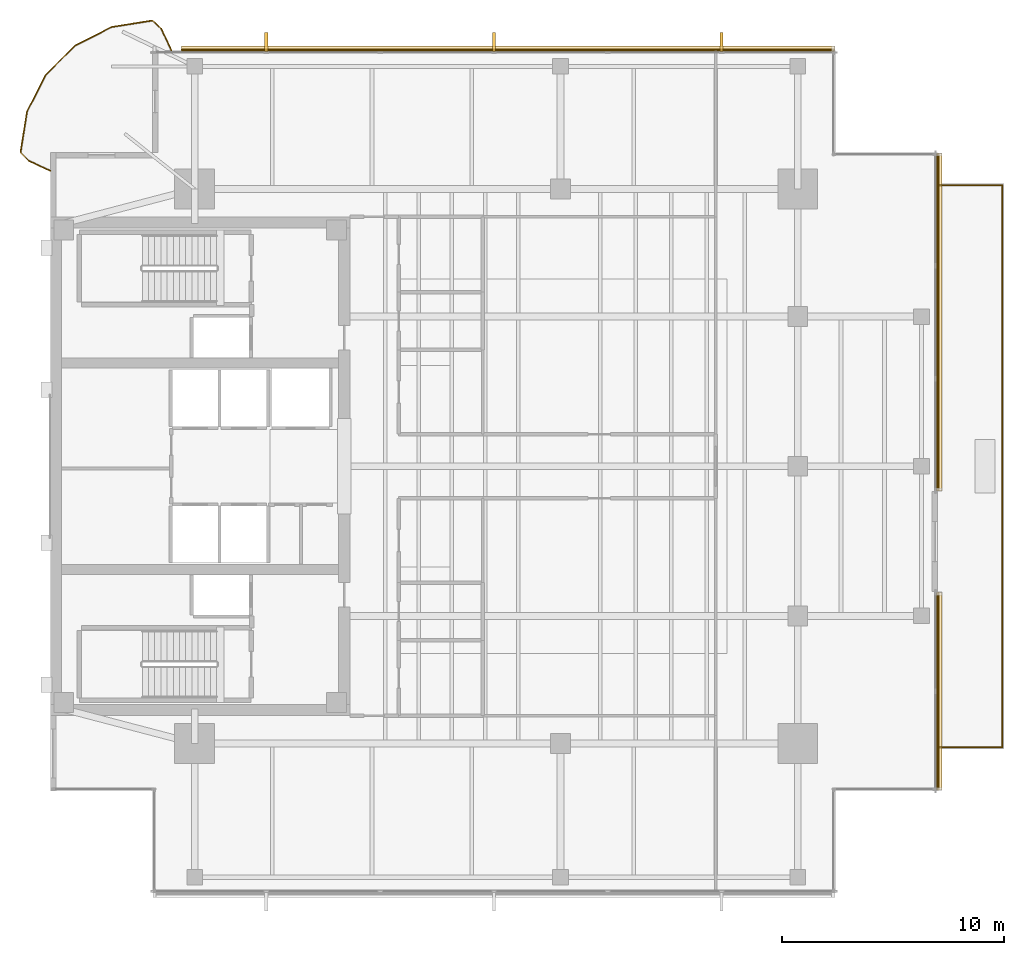
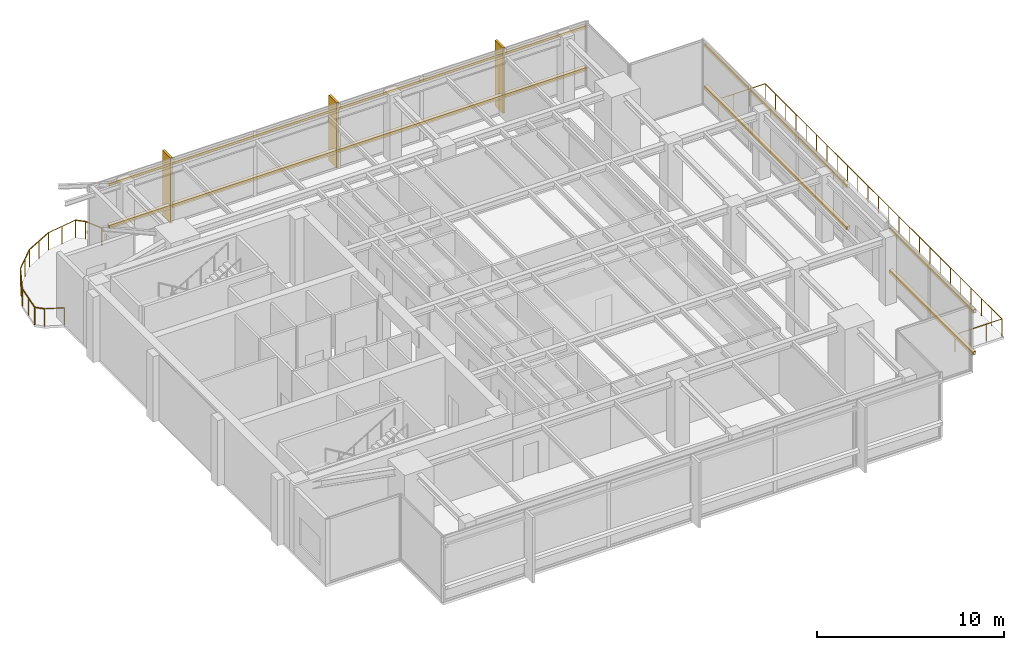
# One storey, part 14 of 14: 12 railings, 9 coverings, 6 shading devices.
"""IFC4 building model written with IfcOpenShell, lengths in metres."""

import ifcopenshell
import ifcopenshell.guid

model = None  # the IFC model being written
_history = None  # IfcOwnerHistory: only IFC2X3 demands one
_inside = {}  # id of a spatial element -> (the spatial element, [elements in it])
_under = {}  # id of a project, library or spatial element -> (it, [spatial elements below it])
_declared = {}  # id of a project -> (the project, [libraries it declares])
_typed = {}  # id of a type object -> (the type object, [elements of that type])
_made_of = {}  # id of a material, layer set ... -> (it, [elements and type objects made of it])


def new_model(schema):
    """Start an empty IFC model of exactly this schema.

    Asked for "IFC4X3", IfcOpenShell would pick the latest addendum, in which some entities
    have other attributes; the version numbers below select the first issue.
    IFC2X3 requires an IfcOwnerHistory on every rooted entity: one is made here for all.
    """
    global model, _history
    if schema == "IFC4X3":
        model = ifcopenshell.file(schema_version=(4, 3, 0, 0))
    else:
        model = ifcopenshell.file(schema=schema)
    _inside.clear()
    _under.clear()
    _declared.clear()
    _typed.clear()
    _made_of.clear()
    _history = None
    if model.schema == "IFC2X3":
        org = make("IfcOrganization", Name="unknown")
        user = make(
            "IfcPersonAndOrganization",
            ThePerson=make("IfcPerson", FamilyName="unknown"),
            TheOrganization=org,
        )
        app = make(
            "IfcApplication",
            ApplicationDeveloper=org,
            Version="unknown",
            ApplicationFullName="unknown",
            ApplicationIdentifier="unknown",
        )
        _history = make(
            "IfcOwnerHistory",
            OwningUser=user,
            OwningApplication=app,
            ChangeAction="ADDED",
            CreationDate=0,
        )
    return model


def make(cls, **values):
    """One entity of the class cls with the attributes given. An attribute that is None is left unset."""
    return model.create_entity(
        cls, **{name: value for name, value in values.items() if value is not None}
    )


def rooted(cls, **values):
    """An entity with a GlobalId (a new one), such as an element, a storey or a relation."""
    return make(cls, GlobalId=ifcopenshell.guid.new(), OwnerHistory=_history, **values)


def si_unit(unit_type, name, prefix=None):
    """IfcSIUnit, for example si_unit("LENGTHUNIT", "METRE", prefix="MILLI")."""
    return make("IfcSIUnit", UnitType=unit_type, Prefix=prefix, Name=name)


def assignment(units):
    """IfcUnitAssignment: the units of a project."""
    return None if units is None else make("IfcUnitAssignment", Units=units)


def point(xyz):
    """IfcCartesianPoint."""
    return None if xyz is None else make("IfcCartesianPoint", Coordinates=xyz)


def direction(xyz):
    """IfcDirection."""
    return None if xyz is None else make("IfcDirection", DirectionRatios=xyz)


def frame(location, z_axis=None, x_axis=None):
    """IfcAxis2Placement3D, a coordinate frame: its origin and axes. An axis left out is left unset."""
    return make(
        "IfcAxis2Placement3D",
        Location=point(location),
        Axis=direction(z_axis),
        RefDirection=direction(x_axis),
    )


def frame_2d(location, x_axis=None):
    """IfcAxis2Placement2D, a coordinate frame in the plane: its origin and x axis."""
    return make(
        "IfcAxis2Placement2D", Location=point(location), RefDirection=direction(x_axis)
    )


def origin():
    """The frame at (0, 0, 0) with its axes left unset."""
    return frame((0.0, 0.0, 0.0))


def origin_2d():
    """The frame at (0, 0) in the plane with its x axis left unset."""
    return frame_2d((0.0, 0.0))


def place(relative_to, where):
    """IfcLocalPlacement: puts the frame where relative to a parent placement (None: the world)."""
    return make(
        "IfcLocalPlacement", PlacementRelTo=relative_to, RelativePlacement=where
    )


def context(
    kind, dimensions, precision=None, world=None, true_north=None, identifier=None
):
    """IfcGeometricRepresentationContext, for example the 3D "Model" context."""
    return make(
        "IfcGeometricRepresentationContext",
        ContextIdentifier=identifier,
        ContextType=kind,
        CoordinateSpaceDimension=dimensions,
        Precision=precision,
        WorldCoordinateSystem=world,
        TrueNorth=true_north,
    )


def subcontext(parent, identifier, kind, view, scale=None):
    """IfcGeometricRepresentationSubContext, for example "Body" below "Model"."""
    return make(
        "IfcGeometricRepresentationSubContext",
        ContextIdentifier=identifier,
        ContextType=kind,
        ParentContext=parent,
        TargetScale=scale,
        TargetView=view,
    )


def project(units=None, contexts=None):
    """IfcProject with its units and contexts."""
    return rooted(
        "IfcProject",
        Name="project",
        RepresentationContexts=contexts,
        UnitsInContext=assignment(units),
    )


def spatial(cls, under=None, at=None, **own):
    """A site, building, storey or space (cls), placed at a placement, below another one or the project."""
    s = rooted(cls, ObjectPlacement=at, **own)
    if under is not None:
        _under.setdefault(under.id(), (under, []))[1].append(s)
    return s


def polyline(points):
    """IfcPolyline through the points."""
    return make("IfcPolyline", Points=[point(p) for p in points])


def profile(cls, at=None, kind="AREA", **sizes):
    """A parametric profile (cls). Its sizes go by their IFC names, for example OverallWidth=200.0."""
    return make(cls, ProfileType=kind, Position=at, **sizes)


def rectangle(**sizes):
    """IfcRectangleProfileDef."""
    return profile("IfcRectangleProfileDef", **sizes)


def circle(**sizes):
    """IfcCircleProfileDef."""
    return profile("IfcCircleProfileDef", **sizes)


def outline(outer, holes=None, kind="AREA"):
    """IfcArbitraryClosedProfileDef: a profile drawn as a closed curve; with holes, ...WithVoids."""
    if holes is None:
        return make("IfcArbitraryClosedProfileDef", ProfileType=kind, OuterCurve=outer)
    return make(
        "IfcArbitraryProfileDefWithVoids",
        ProfileType=kind,
        OuterCurve=outer,
        InnerCurves=holes,
    )


def extrude(swept, where, along, depth):
    """IfcExtrudedAreaSolid: the profile swept, set in the frame where, extruded along a direction by depth."""
    return make(
        "IfcExtrudedAreaSolid",
        SweptArea=swept,
        Position=where,
        ExtrudedDirection=direction(along),
        Depth=depth,
    )


def shape(context_of_items, identifier, shape_type, items):
    """IfcShapeRepresentation: the items that make up one representation, for example the "Body"."""
    return make(
        "IfcShapeRepresentation",
        ContextOfItems=context_of_items,
        RepresentationIdentifier=identifier,
        RepresentationType=shape_type,
        Items=items,
    )


def material(Name=None, Category=None):
    """IfcMaterial."""
    return make("IfcMaterial", Name=Name, Category=Category)


def layer(
    of_material, thickness, ventilated=None, Name=None, Category=None, Priority=None
):
    """IfcMaterialLayer: one layer of a wall or slab, of a material (None: an air gap)."""
    return make(
        "IfcMaterialLayer",
        Material=of_material,
        LayerThickness=thickness,
        IsVentilated=ventilated,
        Name=Name,
        Category=Category,
        Priority=Priority,
    )


def layer_set(layers, Name=None):
    """IfcMaterialLayerSet."""
    return make("IfcMaterialLayerSet", MaterialLayers=layers, LayerSetName=Name)


def material_profile(
    of_material, cross_section, Name=None, Category=None, Priority=None
):
    """IfcMaterialProfile: a cross section and its material."""
    return make(
        "IfcMaterialProfile",
        Name=Name,
        Material=of_material,
        Profile=cross_section,
        Priority=Priority,
        Category=Category,
    )


def profile_set(profiles, Name=None, composite=None):
    """IfcMaterialProfileSet."""
    return make(
        "IfcMaterialProfileSet",
        Name=Name,
        MaterialProfiles=profiles,
        CompositeProfile=composite,
    )


def made_of(thing, what):
    """Note that an element or type object is made of a material, layer set ...; save() writes the relation."""
    if what is not None:
        _made_of.setdefault(what.id(), (what, []))[1].append(thing)
    return thing


def type_object(cls, material=None, **own):
    """A type object (cls), such as IfcWallType, which elements share."""
    return made_of(rooted(cls, **own), material)


def element(
    cls,
    number,
    at=None,
    inside=None,
    cuts=None,
    type_object=None,
    material=None,
    context=None,
    identifier="Body",
    shape_type=None,
    held_by="IfcProductDefinitionShape",
    body=None,
    shapes=None,
    **own,
):
    """One element of the class cls, such as IfcWall. Its Tag is "e" and its number.

    at: its placement. inside: the storey or other place that contains it. cuts: it is an
    opening in that element (IfcRelVoidsElement). A single representation is given by context,
    identifier, shape_type and body (its items); several are given by shapes. held_by: the class
    of the entity that holds the representations. save() writes the other relations.
    """
    e = rooted(cls, Tag="e%d" % number, ObjectPlacement=at, **own)
    if body is not None:
        shapes = [shape(context, identifier, shape_type, body)]
    if shapes is not None:
        e.Representation = make(held_by, Representations=shapes)
    if inside is not None:
        _inside.setdefault(inside.id(), (inside, []))[1].append(e)
    if cuts is not None:
        rooted(
            "IfcRelVoidsElement", RelatingBuildingElement=cuts, RelatedOpeningElement=e
        )
    if type_object is not None:
        _typed.setdefault(type_object.id(), (type_object, []))[1].append(e)
    return made_of(e, material)


def aggregate(whole, parts):
    """IfcRelAggregates: a whole, such as a stair, and the parts it consists of."""
    return rooted("IfcRelAggregates", RelatingObject=whole, RelatedObjects=parts)


def save(model, path):
    """Write the relations noted so far, then the file.

    IfcRelAggregates (storeys below a building ...), IfcRelContainedInSpatialStructure (elements
    in a storey), IfcRelDefinesByType, IfcRelAssociatesMaterial and IfcRelDeclares: one each for
    every whole, place, type object, material and project.
    """
    for whole, parts in _under.values():
        aggregate(whole, parts)
    for where, things in _inside.values():
        rooted(
            "IfcRelContainedInSpatialStructure",
            RelatedElements=things,
            RelatingStructure=where,
        )
    for kind, things in _typed.values():
        rooted("IfcRelDefinesByType", RelatedObjects=things, RelatingType=kind)
    for what, things in _made_of.values():
        rooted("IfcRelAssociatesMaterial", RelatedObjects=things, RelatingMaterial=what)
    for by, libraries in _declared.values():
        rooted("IfcRelDeclares", RelatingContext=by, RelatedDefinitions=libraries)
    model.write(path)


model = new_model("IFC4")

# Units and contexts
model_context = context("Model", 3, precision=1e-05, world=origin(), true_north=direction((0.0, 1.0)))
body_context = subcontext(model_context, "Body", "Model", "MODEL_VIEW")
ifc_project = project(units=[si_unit("LENGTHUNIT", "METRE"), si_unit("AREAUNIT", "SQUARE_METRE"), si_unit("VOLUMEUNIT", "CUBIC_METRE"), si_unit("PLANEANGLEUNIT", "RADIAN"), si_unit("MASSUNIT", "GRAM", prefix="KILO")], contexts=[model_context])

# Site, building, storey
site_placement = place(None, origin())
site = spatial("IfcSite", under=ifc_project, at=site_placement, CompositionType="ELEMENT")
building_placement = place(site_placement, origin())
building = spatial("IfcBuilding", under=site, at=building_placement, Name="Kinhvarn Gate Tower", CompositionType="ELEMENT")
storey_placement = place(building_placement, frame((0.0, 0.0, 244.85009765625)))
storey = spatial("IfcBuildingStorey", under=building, at=storey_placement, Name="L65", CompositionType="ELEMENT", Elevation=244.85009765625)

# Coverings
ifc_material_1 = material(Name="Fired architectural terracotta", Category="masonry")
ifc_layer_1 = layer(ifc_material_1, 0.239990234375)
ifc_layer_set_1 = layer_set([ifc_layer_1], Name="Fired architectural terracotta")
covering_type_1 = type_object("IfcCoveringType", Name="COV-BAG-220", PredefinedType="CLADDING", material=ifc_layer_set_1)
for number, where, name in (
    (1, (0.0, 0.0, 0.93994140625), "Terracotta Horizontal Sunscreen Band TBG-220 (L65)"),
    (2, (0.0, 0.0, 3.679931640625), "Terracotta Horizontal Sunscreen Band TBG-220 (L65)"),
):
    element("IfcCovering", number, at=place(storey_placement, frame(where)), inside=storey, type_object=covering_type_1, Name=name, PredefinedType="CLADDING", context=body_context, shape_type="SweptSolid", body=[
        extrude(outline(polyline([(39.860107421875, 43.9599609375), (10.404052734375, 43.9599609375), (10.404052734375, 44.199951171875), (39.860107421875, 44.199951171875), (39.860107421875, 43.9599609375)])), origin(), (0.0, 0.0, 1.0), 0.219970703125),
    ])
for number, where, name in (
    (3, (0.0, 0.0, 0.93994140625), "Terracotta Horizontal Sunscreen Band TBG-220 (L65)"),
    (4, (0.0, 0.0, 3.679931640625), "Terracotta Horizontal Sunscreen Band TBG-220 (L65)"),
):
    element("IfcCovering", number, at=place(storey_placement, frame(where)), inside=storey, type_object=covering_type_1, Name=name, PredefinedType="CLADDING", context=body_context, shape_type="SweptSolid", body=[
        extrude(outline(polyline([(44.4599609375, 10.639892578125), (44.4599609375, 19.56005859375), (44.699951171875, 19.56005859375), (44.699951171875, 10.639892578125), (44.4599609375, 10.639892578125)])), origin(), (0.0, 0.0, 1.0), 0.219970703125),
    ])
for number, where, name in (
    (5, (0.0, 0.0, 0.93994140625), "Terracotta Horizontal Sunscreen Band TBG-220 (L65)"),
    (6, (0.0, 0.0, 3.679931640625), "Terracotta Horizontal Sunscreen Band TBG-220 (L65)"),
):
    element("IfcCovering", number, at=place(storey_placement, frame(where)), inside=storey, type_object=covering_type_1, Name=name, PredefinedType="CLADDING", context=body_context, shape_type="SweptSolid", body=[
        extrude(outline(polyline([(44.4599609375, 24.139892578125), (44.4599609375, 39.360107421875), (44.699951171875, 39.360107421875), (44.699951171875, 24.139892578125), (44.4599609375, 24.139892578125)])), origin(), (0.0, 0.0, 1.0), 0.219970703125),
    ])
ifc_layer_2 = layer(ifc_material_1, 0.139892578125)
ifc_layer_set_2 = layer_set([ifc_layer_2], Name="Fired architectural terracotta")
covering_type_2 = type_object("IfcCoveringType", Name="COV-FIN-850", PredefinedType="CLADDING", material=ifc_layer_set_2)
covering_1_placement = place(storey_placement, frame((0.0, 0.0, -0.02001953125)))
element("IfcCovering", 7, at=covering_1_placement, inside=storey, type_object=covering_type_2, Name="Vertical Terracotta Expressive Fin TFN-850 (L65)", PredefinedType="CLADDING", context=body_context, shape_type="SweptSolid", body=[
    extrude(outline(polyline([(34.836669921875, 43.949951171875), (34.69677734375, 43.949951171875), (34.69677734375, 44.800048828125), (34.836669921875, 44.800048828125), (34.836669921875, 43.949951171875)])), origin(), (0.0, 0.0, 1.0), 4.280029296875),
])
covering_2_placement = place(storey_placement, frame((0.0, 0.0, -0.02001953125)))
element("IfcCovering", 8, at=covering_2_placement, inside=storey, type_object=covering_type_2, Name="Vertical Terracotta Expressive Fin TFN-850 (L65)", PredefinedType="CLADDING", context=body_context, shape_type="SweptSolid", body=[
    extrude(outline(polyline([(24.570068359375, 43.949951171875), (24.429931640625, 43.949951171875), (24.429931640625, 44.800048828125), (24.570068359375, 44.800048828125), (24.570068359375, 43.949951171875)])), origin(), (0.0, 0.0, 1.0), 4.280029296875),
])
covering_3_placement = place(storey_placement, frame((0.0, 0.0, -0.02001953125)))
element("IfcCovering", 9, at=covering_3_placement, inside=storey, type_object=covering_type_2, Name="Vertical Terracotta Expressive Fin TFN-850 (L65)", PredefinedType="CLADDING", context=body_context, shape_type="SweptSolid", body=[
    extrude(outline(polyline([(14.30322265625, 43.949951171875), (14.163330078125, 43.949951171875), (14.163330078125, 44.800048828125), (14.30322265625, 44.800048828125), (14.30322265625, 43.949951171875)])), origin(), (0.0, 0.0, 1.0), 4.280029296875),
])

# Railings
ifc_material_2 = material(Name="Clear low-e double glazing", Category="glass")
railing_type_1 = type_object("IfcRailingType", Name="RL-BAL-1150", PredefinedType="BALUSTRADE", material=ifc_material_2)
railing_1_placement = place(storey_placement, frame((9.9541015625, 44.0, 0.0)))
element("IfcRailing", 10, at=railing_1_placement, inside=storey, type_object=railing_type_1, Name="S-Carve Balcony Guardrail Seg 1 (L65)", PredefinedType="BALUSTRADE", context=body_context, shape_type="SweptSolid", body=[
    extrude(circle(Radius=0.02392578125, at=origin_2d()), frame((0.0, 0.0, 1.1259765625), z_axis=(-0.420300830951, 0.907384819965, 0.0), x_axis=(-0.907384819965, -0.420300830951, 0.0)), (0.0, 0.0, 1.0), 1.071044921875),
    extrude(circle(Radius=0.02099609375, at=origin_2d()), origin(), (0.0, 0.0, 1.0), 1.101806640625),
    extrude(circle(Radius=0.02099609375, at=origin_2d()), frame((-0.4501953125, 0.971923828125, 0.0)), (0.0, 0.0, 1.0), 1.101806640625),
])
railing_2_placement = place(storey_placement, frame((9.50390625, 44.971923828125, 0.0)))
element("IfcRailing", 11, at=railing_2_placement, inside=storey, type_object=railing_type_1, Name="S-Carve Balcony Guardrail Seg 2 (L65)", PredefinedType="BALUSTRADE", context=body_context, shape_type="SweptSolid", body=[
    extrude(circle(Radius=0.02392578125, at=origin_2d()), frame((0.0, 0.0, 1.1259765625), z_axis=(-0.729894907623, 0.68355937842, 0.0), x_axis=(-0.68355937842, -0.729894907623, 0.0)), (0.0, 0.0, 1.0), 0.55322265625),
    extrude(circle(Radius=0.02099609375, at=origin_2d()), origin(), (0.0, 0.0, 1.0), 1.101806640625),
    extrude(circle(Radius=0.02099609375, at=origin_2d()), frame((-0.40380859375, 0.378173828125, 0.0)), (0.0, 0.0, 1.0), 1.101806640625),
])
railing_3_placement = place(storey_placement, frame((9.10009765625, 45.35009765625, 0.0)))
element("IfcRailing", 12, at=railing_3_placement, inside=storey, type_object=railing_type_1, Name="S-Carve Balcony Guardrail Seg 3 (L65)", PredefinedType="BALUSTRADE", context=body_context, shape_type="SweptSolid", body=[
    extrude(circle(Radius=0.02392578125, at=origin_2d()), frame((0.0, 0.0, 1.1259765625), z_axis=(-0.987687360033, -0.156440655937, 0.0), x_axis=(0.156440655937, -0.987687360033, 0.0)), (0.0, 0.0, 1.0), 1.86181640625),
    extrude(circle(Radius=0.02099609375, at=origin_2d()), origin(), (0.0, 0.0, 1.0), 1.101806640625),
    extrude(circle(Radius=0.02099609375, at=origin_2d()), frame((-0.91943359375, -0.1455078125, 0.0)), (0.0, 0.0, 1.0), 1.101806640625),
    extrude(circle(Radius=0.02099609375, at=origin_2d()), frame((-1.8388671875, -0.291259765625, 0.0)), (0.0, 0.0, 1.0), 1.101806640625),
])
railing_4_placement = place(storey_placement, frame((7.26123046875, 45.058837890625, 0.0)))
element("IfcRailing", 13, at=railing_4_placement, inside=storey, type_object=railing_type_1, Name="S-Carve Balcony Guardrail Seg 4 (L65)", PredefinedType="BALUSTRADE", context=body_context, shape_type="SweptSolid", body=[
    extrude(circle(Radius=0.02392578125, at=origin_2d()), frame((0.0, 0.0, 1.1259765625), z_axis=(-0.890964414756, -0.454073134681, 0.0), x_axis=(0.454073134681, -0.890964414756, 0.0)), (0.0, 0.0, 1.0), 1.861328125),
    extrude(circle(Radius=0.02099609375, at=origin_2d()), origin(), (0.0, 0.0, 1.0), 1.101806640625),
    extrude(circle(Radius=0.02099609375, at=origin_2d()), frame((-0.8291015625, -0.422607421875, 0.0)), (0.0, 0.0, 1.0), 1.101806640625),
    extrude(circle(Radius=0.02099609375, at=origin_2d()), frame((-1.658447265625, -0.84521484375, 0.0)), (0.0, 0.0, 1.0), 1.101806640625),
])
railing_5_placement = place(storey_placement, frame((5.602783203125, 44.213623046875, 0.0)))
element("IfcRailing", 14, at=railing_5_placement, inside=storey, type_object=railing_type_1, Name="S-Carve Balcony Guardrail Seg 5 (L65)", PredefinedType="BALUSTRADE", context=body_context, shape_type="SweptSolid", body=[
    extrude(circle(Radius=0.02392578125, at=origin_2d()), frame((0.0, 0.0, 1.1259765625), z_axis=(-0.707106781187, -0.707106781187, 0.0), x_axis=(0.707106781187, -0.707106781187, 0.0)), (0.0, 0.0, 1.0), 1.861572265625),
    extrude(circle(Radius=0.02099609375, at=origin_2d()), origin(), (0.0, 0.0, 1.0), 1.101806640625),
    extrude(circle(Radius=0.02099609375, at=origin_2d()), frame((-0.658203125, -0.658203125, 0.0)), (0.0, 0.0, 1.0), 1.101806640625),
    extrude(circle(Radius=0.02099609375, at=origin_2d()), frame((-1.31640625, -1.31640625, 0.0)), (0.0, 0.0, 1.0), 1.101806640625),
])
railing_6_placement = place(storey_placement, frame((4.286376953125, 42.897216796875, 0.0)))
element("IfcRailing", 15, at=railing_6_placement, inside=storey, type_object=railing_type_1, Name="S-Carve Balcony Guardrail Seg 6 (L65)", PredefinedType="BALUSTRADE", context=body_context, shape_type="SweptSolid", body=[
    extrude(circle(Radius=0.02392578125, at=origin_2d()), frame((0.0, 0.0, 1.1259765625), z_axis=(-0.454073134681, -0.890964414756, 0.0), x_axis=(0.890964414756, -0.454073134681, 0.0)), (0.0, 0.0, 1.0), 1.861328125),
    extrude(circle(Radius=0.02099609375, at=origin_2d()), origin(), (0.0, 0.0, 1.0), 1.101806640625),
    extrude(circle(Radius=0.02099609375, at=origin_2d()), frame((-0.422607421875, -0.8291015625, 0.0)), (0.0, 0.0, 1.0), 1.101806640625),
    extrude(circle(Radius=0.02099609375, at=origin_2d()), frame((-0.84521484375, -1.658447265625, 0.0)), (0.0, 0.0, 1.0), 1.101806640625),
])
railing_7_placement = place(storey_placement, frame((3.441162109375, 41.23876953125, 0.0)))
element("IfcRailing", 16, at=railing_7_placement, inside=storey, type_object=railing_type_1, Name="S-Carve Balcony Guardrail Seg 7 (L65)", PredefinedType="BALUSTRADE", context=body_context, shape_type="SweptSolid", body=[
    extrude(circle(Radius=0.02392578125, at=origin_2d()), frame((0.0, 0.0, 1.1259765625), z_axis=(-0.156440655937, -0.987687360033, 0.0), x_axis=(0.987687360033, -0.156440655937, 0.0)), (0.0, 0.0, 1.0), 1.86181640625),
    extrude(circle(Radius=0.02099609375, at=origin_2d()), origin(), (0.0, 0.0, 1.0), 1.101806640625),
    extrude(circle(Radius=0.02099609375, at=origin_2d()), frame((-0.1455078125, -0.91943359375, 0.0)), (0.0, 0.0, 1.0), 1.101806640625),
    extrude(circle(Radius=0.02099609375, at=origin_2d()), frame((-0.291259765625, -1.8388671875, 0.0)), (0.0, 0.0, 1.0), 1.101806640625),
])
railing_8_placement = place(storey_placement, frame((3.14990234375, 39.39990234375, 0.0)))
element("IfcRailing", 17, at=railing_8_placement, inside=storey, type_object=railing_type_1, Name="S-Carve Balcony Guardrail Seg 8 (L65)", PredefinedType="BALUSTRADE", context=body_context, shape_type="SweptSolid", body=[
    extrude(circle(Radius=0.02392578125, at=origin_2d()), frame((0.0, 0.0, 1.1259765625), z_axis=(0.70551086676, -0.708699101794, 0.0), x_axis=(0.708699101794, 0.70551086676, 0.0)), (0.0, 0.0, 1.0), 0.5361328125),
    extrude(circle(Radius=0.02099609375, at=origin_2d()), origin(), (0.0, 0.0, 1.0), 1.101806640625),
    extrude(circle(Radius=0.02099609375, at=origin_2d()), frame((0.378173828125, -0.3798828125, 0.0)), (0.0, 0.0, 1.0), 1.101806640625),
])
railing_9_placement = place(storey_placement, frame((3.528076171875, 39.02001953125, 0.0)))
element("IfcRailing", 18, at=railing_9_placement, inside=storey, type_object=railing_type_1, Name="S-Carve Balcony Guardrail Seg 9 (L65)", PredefinedType="BALUSTRADE", context=body_context, shape_type="SweptSolid", body=[
    extrude(circle(Radius=0.02392578125, at=origin_2d()), frame((0.0, 0.0, 1.1259765625), z_axis=(0.90747173516, -0.420113139387, 0.0), x_axis=(0.420113139387, 0.90747173516, 0.0)), (0.0, 0.0, 1.0), 1.071044921875),
    extrude(circle(Radius=0.02099609375, at=origin_2d()), origin(), (0.0, 0.0, 1.0), 1.101806640625),
    extrude(circle(Radius=0.02099609375, at=origin_2d()), frame((0.971923828125, -0.449951171875, 0.0)), (0.0, 0.0, 1.0), 1.101806640625),
])
railing_type_2 = type_object("IfcRailingType", Name="RL-TER-1150", PredefinedType="BALUSTRADE", material=ifc_material_2)
railing_10_placement = place(storey_placement, frame((44.52001953125, 12.580078125, 0.0)))
element("IfcRailing", 19, at=railing_10_placement, inside=storey, type_object=railing_type_2, Name="High-Zone Sky-Lobby Setback Terrace Guardrail Seg 1 (L65)", PredefinedType="BALUSTRADE", context=body_context, shape_type="SweptSolid", body=[
    extrude(circle(Radius=0.02392578125, at=origin_2d()), frame((0.0, 0.0, 1.1259765625), z_axis=(1.0, 0.0, 0.0), x_axis=(0.0, 1.0, 0.0)), (0.0, 0.0, 1.0), 2.89990234375),
    extrude(circle(Radius=0.02099609375, at=origin_2d()), origin(), (0.0, 0.0, 1.0), 1.101806640625),
    extrude(circle(Radius=0.02099609375, at=origin_2d()), frame((0.966552734375, 0.0, 0.0)), (0.0, 0.0, 1.0), 1.101806640625),
    extrude(circle(Radius=0.02099609375, at=origin_2d()), frame((1.933349609375, 0.0, 0.0)), (0.0, 0.0, 1.0), 1.101806640625),
    extrude(circle(Radius=0.02099609375, at=origin_2d()), frame((2.89990234375, 0.0, 0.0)), (0.0, 0.0, 1.0), 1.101806640625),
])
railing_11_placement = place(storey_placement, frame((47.419921875, 12.580078125, 0.0)))
element("IfcRailing", 20, at=railing_11_placement, inside=storey, type_object=railing_type_2, Name="High-Zone Sky-Lobby Setback Terrace Guardrail Seg 2 (L65)", PredefinedType="BALUSTRADE", context=body_context, shape_type="SweptSolid", body=[
    extrude(circle(Radius=0.02392578125, at=origin_2d()), frame((0.0, 0.0, 1.1259765625), z_axis=(0.0, 1.0, 0.0), x_axis=(-1.0, 0.0, 0.0)), (0.0, 0.0, 1.0), 25.33984375),
    extrude(circle(Radius=0.02099609375, at=origin_2d()), origin(), (0.0, 0.0, 1.0), 1.101806640625),
    extrude(circle(Radius=0.02099609375, at=origin_2d()), frame((0.0, 1.101806640625, 0.0)), (0.0, 0.0, 1.0), 1.101806640625),
    extrude(circle(Radius=0.02099609375, at=origin_2d()), frame((0.0, 2.203369140625, 0.0)), (0.0, 0.0, 1.0), 1.101806640625),
    extrude(circle(Radius=0.02099609375, at=origin_2d()), frame((0.0, 3.30517578125, 0.0)), (0.0, 0.0, 1.0), 1.101806640625),
    extrude(circle(Radius=0.02099609375, at=origin_2d()), frame((0.0, 4.406982421875, 0.0)), (0.0, 0.0, 1.0), 1.101806640625),
    extrude(circle(Radius=0.02099609375, at=origin_2d()), frame((0.0, 5.508544921875, 0.0)), (0.0, 0.0, 1.0), 1.101806640625),
    extrude(circle(Radius=0.02099609375, at=origin_2d()), frame((0.0, 6.6103515625, 0.0)), (0.0, 0.0, 1.0), 1.101806640625),
    extrude(circle(Radius=0.02099609375, at=origin_2d()), frame((0.0, 7.712158203125, 0.0)), (0.0, 0.0, 1.0), 1.101806640625),
    extrude(circle(Radius=0.02099609375, at=origin_2d()), frame((0.0, 8.81396484375, 0.0)), (0.0, 0.0, 1.0), 1.101806640625),
    extrude(circle(Radius=0.02099609375, at=origin_2d()), frame((0.0, 9.91552734375, 0.0)), (0.0, 0.0, 1.0), 1.101806640625),
    extrude(circle(Radius=0.02099609375, at=origin_2d()), frame((0.0, 11.017333984375, 0.0)), (0.0, 0.0, 1.0), 1.101806640625),
    extrude(circle(Radius=0.02099609375, at=origin_2d()), frame((0.0, 12.119140625, 0.0)), (0.0, 0.0, 1.0), 1.101806640625),
    extrude(circle(Radius=0.02099609375, at=origin_2d()), frame((0.0, 13.220703125, 0.0)), (0.0, 0.0, 1.0), 1.101806640625),
    extrude(circle(Radius=0.02099609375, at=origin_2d()), frame((0.0, 14.322509765625, 0.0)), (0.0, 0.0, 1.0), 1.101806640625),
    extrude(circle(Radius=0.02099609375, at=origin_2d()), frame((0.0, 15.42431640625, 0.0)), (0.0, 0.0, 1.0), 1.101806640625),
    extrude(circle(Radius=0.02099609375, at=origin_2d()), frame((0.0, 16.52587890625, 0.0)), (0.0, 0.0, 1.0), 1.101806640625),
    extrude(circle(Radius=0.02099609375, at=origin_2d()), frame((0.0, 17.627685546875, 0.0)), (0.0, 0.0, 1.0), 1.101806640625),
    extrude(circle(Radius=0.02099609375, at=origin_2d()), frame((0.0, 18.7294921875, 0.0)), (0.0, 0.0, 1.0), 1.101806640625),
    extrude(circle(Radius=0.02099609375, at=origin_2d()), frame((0.0, 19.831298828125, 0.0)), (0.0, 0.0, 1.0), 1.101806640625),
    extrude(circle(Radius=0.02099609375, at=origin_2d()), frame((0.0, 20.932861328125, 0.0)), (0.0, 0.0, 1.0), 1.101806640625),
    extrude(circle(Radius=0.02099609375, at=origin_2d()), frame((0.0, 22.03466796875, 0.0)), (0.0, 0.0, 1.0), 1.101806640625),
    extrude(circle(Radius=0.02099609375, at=origin_2d()), frame((0.0, 23.136474609375, 0.0)), (0.0, 0.0, 1.0), 1.101806640625),
    extrude(circle(Radius=0.02099609375, at=origin_2d()), frame((0.0, 24.238037109375, 0.0)), (0.0, 0.0, 1.0), 1.101806640625),
    extrude(circle(Radius=0.02099609375, at=origin_2d()), frame((0.0, 25.33984375, 0.0)), (0.0, 0.0, 1.0), 1.101806640625),
])
railing_12_placement = place(storey_placement, frame((47.419921875, 37.919921875, 0.0)))
element("IfcRailing", 21, at=railing_12_placement, inside=storey, type_object=railing_type_2, Name="High-Zone Sky-Lobby Setback Terrace Guardrail Seg 3 (L65)", PredefinedType="BALUSTRADE", context=body_context, shape_type="SweptSolid", body=[
    extrude(circle(Radius=0.02392578125, at=origin_2d()), frame((0.0, 0.0, 1.1259765625), z_axis=(-1.0, 0.0, 0.0), x_axis=(0.0, -1.0, 0.0)), (0.0, 0.0, 1.0), 2.89990234375),
    extrude(circle(Radius=0.02099609375, at=origin_2d()), origin(), (0.0, 0.0, 1.0), 1.101806640625),
    extrude(circle(Radius=0.02099609375, at=origin_2d()), frame((-0.966552734375, 0.0, 0.0)), (0.0, 0.0, 1.0), 1.101806640625),
    extrude(circle(Radius=0.02099609375, at=origin_2d()), frame((-1.933349609375, 0.0, 0.0)), (0.0, 0.0, 1.0), 1.101806640625),
    extrude(circle(Radius=0.02099609375, at=origin_2d()), frame((-2.89990234375, 0.0, 0.0)), (0.0, 0.0, 1.0), 1.101806640625),
])

# Shading devices
ifc_material_profile = material_profile(ifc_material_1, rectangle(XDim=0.06005859375, YDim=0.139892578125, at=origin_2d()), Name="TC 60x140")
ifc_profile_set = profile_set([ifc_material_profile], Name="Fired architectural terracotta")
shading_device_type = type_object("IfcShadingDeviceType", Name="SHD-BAG-180", PredefinedType="USERDEFINED", material=ifc_profile_set)
for number, where, z_axis, x_axis, name in (
    (22, (39.860107421875, 44.034912109375, 1.0498046875), (-1.0, 0.0, 0.0), (0.0, -1.0, 0.0), "Fired Terracotta Baguette Screen Rod 60x140 mm (L65)"),
    (23, (39.860107421875, 44.034912109375, 3.789794921875), (-1.0, 0.0, 0.0), (0.0, -1.0, 0.0), "Fired Terracotta Baguette Screen Rod 60x140 mm (L65)"),
):
    element("IfcShadingDevice", number, at=place(storey_placement, frame(where, z_axis=z_axis, x_axis=x_axis)), inside=storey, type_object=shading_device_type, Name=name, ObjectType="BAGUETTE", PredefinedType="USERDEFINED", context=body_context, shape_type="SweptSolid", body=[
        extrude(rectangle(XDim=0.06005859375, YDim=0.139892578125, at=origin_2d()), origin(), (0.0, 0.0, 1.0), 29.4560546875),
    ])
for number, where, z_axis, x_axis, name in (
    (24, (44.534912109375, 10.639892578125, 1.0498046875), (0.0, 1.0, 0.0), (-1.0, 0.0, 0.0), "Fired Terracotta Baguette Screen Rod 60x140 mm (L65)"),
    (25, (44.534912109375, 10.639892578125, 3.789794921875), (0.0, 1.0, 0.0), (-1.0, 0.0, 0.0), "Fired Terracotta Baguette Screen Rod 60x140 mm (L65)"),
):
    element("IfcShadingDevice", number, at=place(storey_placement, frame(where, z_axis=z_axis, x_axis=x_axis)), inside=storey, type_object=shading_device_type, Name=name, ObjectType="BAGUETTE", PredefinedType="USERDEFINED", context=body_context, shape_type="SweptSolid", body=[
        extrude(rectangle(XDim=0.06005859375, YDim=0.139892578125, at=origin_2d()), origin(), (0.0, 0.0, 1.0), 8.920166015625),
    ])
for number, where, z_axis, x_axis, name in (
    (26, (44.534912109375, 24.139892578125, 1.0498046875), (0.0, 1.0, 0.0), (-1.0, 0.0, 0.0), "Fired Terracotta Baguette Screen Rod 60x140 mm (L65)"),
    (27, (44.534912109375, 24.139892578125, 3.789794921875), (0.0, 1.0, 0.0), (-1.0, 0.0, 0.0), "Fired Terracotta Baguette Screen Rod 60x140 mm (L65)"),
):
    element("IfcShadingDevice", number, at=place(storey_placement, frame(where, z_axis=z_axis, x_axis=x_axis)), inside=storey, type_object=shading_device_type, Name=name, ObjectType="BAGUETTE", PredefinedType="USERDEFINED", context=body_context, shape_type="SweptSolid", body=[
        extrude(rectangle(XDim=0.06005859375, YDim=0.139892578125, at=origin_2d()), origin(), (0.0, 0.0, 1.0), 15.22021484375),
    ])

save(model, "model.ifc")
